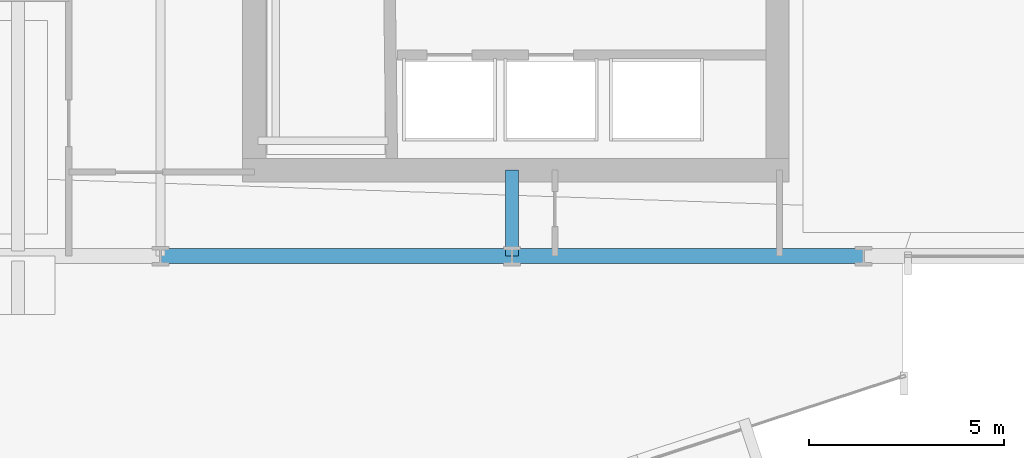
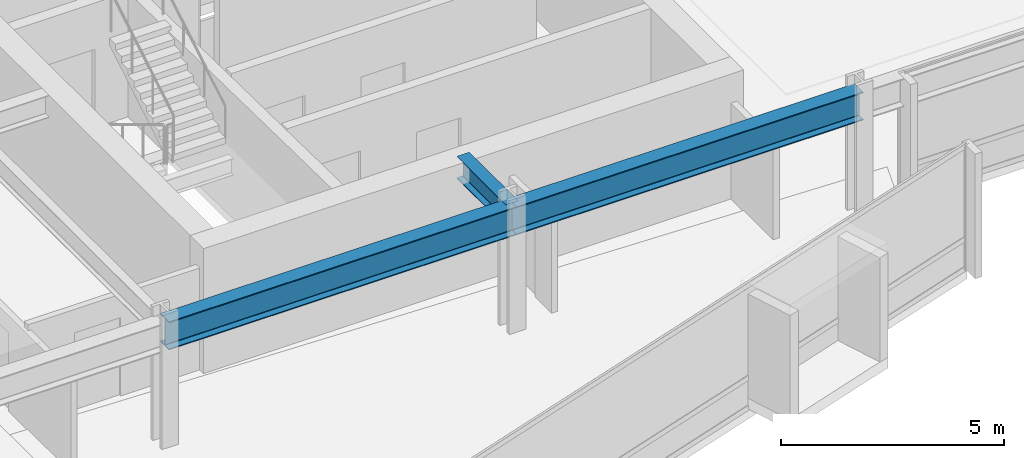
# One storey, part 11 of 34: 3 beams.
"""IFC4 building model written with IfcOpenShell, lengths in metres."""

from ifc_helpers import new_model, si_unit, direction, frame, origin, origin_2d, place, context, subcontext, project, spatial, i_section, extrude, material, material_profile, profile_set, type_object, element, save


model = new_model("IFC4")

# Units and contexts
model_context = context("Model", 3, precision=1e-05, world=origin(), true_north=direction((0.0, 1.0)))
body_context = subcontext(model_context, "Body", "Model", "MODEL_VIEW")
ifc_project = project(units=[si_unit("LENGTHUNIT", "METRE"), si_unit("AREAUNIT", "SQUARE_METRE"), si_unit("VOLUMEUNIT", "CUBIC_METRE"), si_unit("PLANEANGLEUNIT", "RADIAN"), si_unit("MASSUNIT", "GRAM", prefix="KILO")], contexts=[model_context])

# Site, building, storey
site_placement = place(None, origin())
site = spatial("IfcSite", under=ifc_project, at=site_placement, CompositionType="ELEMENT")
building_placement = place(site_placement, origin())
building = spatial("IfcBuilding", under=site, at=building_placement, Name="Solvaryn Broadcast Tower", CompositionType="ELEMENT")
storey_placement = place(building_placement, frame((0.0, 0.0, 58.199951171875)))
storey = spatial("IfcBuildingStorey", under=building, at=storey_placement, Name="L13", CompositionType="ELEMENT", Elevation=58.199951171875)

# Beams
ifc_material_1 = material(Name="Steel ASTM A992 Grade 50", Category="steel")
ifc_material_profile_1 = material_profile(ifc_material_1, i_section(OverallWidth=0.323974609375, OverallDepth=0.611083984375, WebThickness=0.0126953125, FlangeThickness=0.01904296875, FilletRadius=0.014892578125, at=origin_2d()))
ifc_profile_set_1 = profile_set([ifc_material_profile_1], Name="Steel ASTM A992 Grade 50")
beam_type_1 = type_object("IfcBeamType", Name="BM-B1-W24X104", PredefinedType="BEAM", material=ifc_profile_set_1)
beam_placement = place(storey_placement, frame((36.0, 9.0, 3.114501953125), z_axis=(0.0, 1.0, 0.0), x_axis=(-1.0, 0.0, 0.0)))
element("IfcBeam", 1, at=beam_placement, inside=storey, type_object=beam_type_1, Name="L13 Core Tie Beam CTE1", PredefinedType="BEAM", context=body_context, shape_type="SweptSolid", body=[
    extrude(i_section(OverallWidth=0.323974609375, OverallDepth=0.611083984375, WebThickness=0.0126953125, FlangeThickness=0.01904296875, FilletRadius=0.014892578125, at=origin_2d()), origin(), (0.0, 0.0, 1.0), 2.199951171875),
])
ifc_material_2 = material(Name="Steel ASTM A992 Grade 50", Category="steel")
ifc_material_profile_2 = material_profile(ifc_material_2, i_section(OverallWidth=0.381103515625, OverallDepth=0.77294921875, WebThickness=0.0166015625, FlangeThickness=0.027099609375, FilletRadius=0.01806640625, at=origin_2d()))
ifc_profile_set_2 = profile_set([ifc_material_profile_2], Name="Steel ASTM A992 Grade 50")
beam_type_2 = type_object("IfcBeamType", Name="BM-SP1-W30X173", PredefinedType="USERDEFINED", material=ifc_profile_set_2)
for number, where, z_axis, x_axis, name in (
    (2, (27.0, 9.0, 3.033447265625), (1.0, 0.0, 0.0), (0.0, 1.0, 0.0), "L13 Spandrel Beam X (27-36 @ Y=9)"),
    (3, (36.0, 9.0, 3.033447265625), (1.0, 0.0, 0.0), (0.0, 1.0, 0.0), "L13 Spandrel Beam X (36-45 @ Y=9)"),
):
    element("IfcBeam", number, at=place(storey_placement, frame(where, z_axis=z_axis, x_axis=x_axis)), inside=storey, type_object=beam_type_2, Name=name, ObjectType="SPANDREL", PredefinedType="USERDEFINED", context=body_context, shape_type="SweptSolid", body=[
        extrude(i_section(OverallWidth=0.381103515625, OverallDepth=0.77294921875, WebThickness=0.0166015625, FlangeThickness=0.027099609375, FilletRadius=0.01806640625, at=origin_2d()), origin(), (0.0, 0.0, 1.0), 9.0),
    ])

save(model, "model.ifc")
